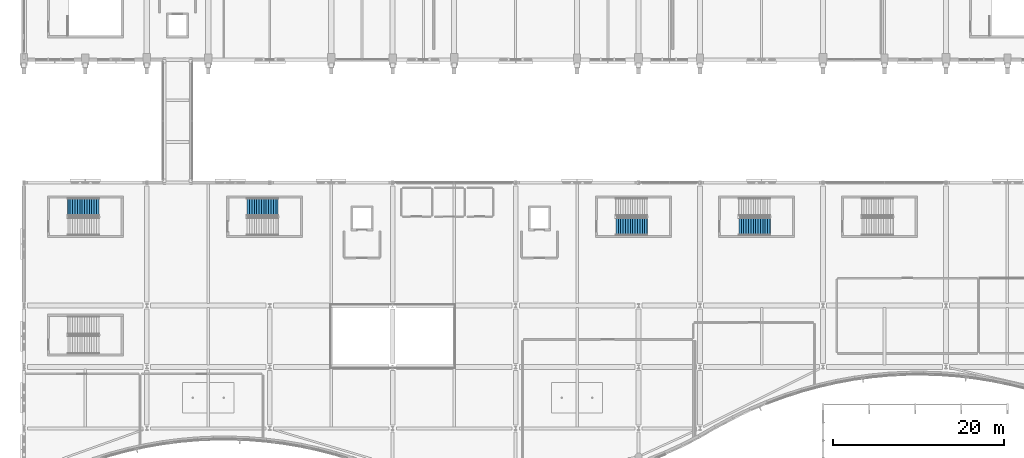
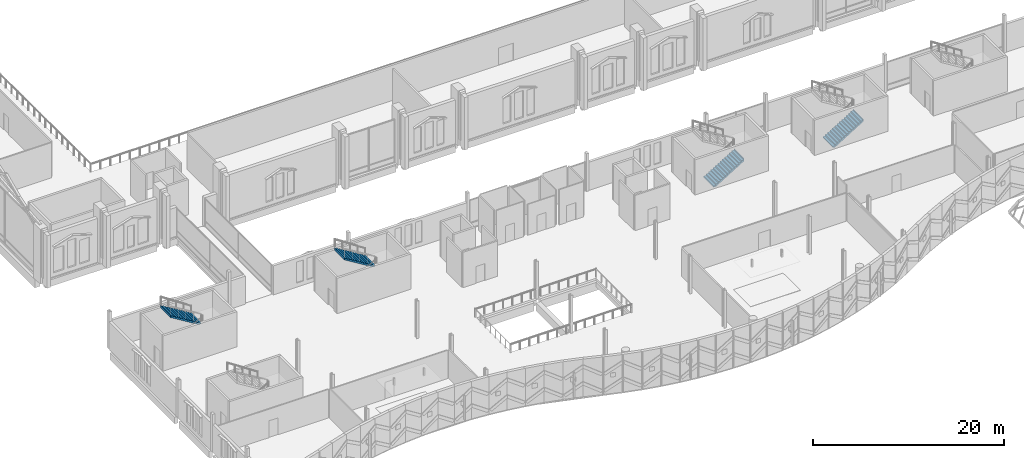
# One storey, part 185 of 220: 4 stair flights, 4 elements without a shape of their own.
"""IFC4 building model written with IfcOpenShell, lengths in metres."""

from ifc_helpers import new_model, si_unit, direction, frame, origin, place, context, subcontext, project, spatial, triangles, material, type_object, element, aggregate, save


model = new_model("IFC4")

# Units and contexts
model_context = context("Model", 3, precision=1e-05, world=origin(), true_north=direction((0.0, 1.0)))
body_context = subcontext(model_context, "Body", "Model", "MODEL_VIEW")
ifc_project = project(units=[si_unit("LENGTHUNIT", "METRE"), si_unit("AREAUNIT", "SQUARE_METRE"), si_unit("VOLUMEUNIT", "CUBIC_METRE"), si_unit("PLANEANGLEUNIT", "RADIAN"), si_unit("MASSUNIT", "GRAM", prefix="KILO")], contexts=[model_context])

# Site, building, storey
site_placement = place(None, origin())
site = spatial("IfcSite", under=ifc_project, at=site_placement, CompositionType="ELEMENT")
building_placement = place(site_placement, origin())
building = spatial("IfcBuilding", under=site, at=building_placement, Name="Cendralis Lancet Convention Centre", CompositionType="ELEMENT")
storey_placement = place(building_placement, frame((0.0, 0.0, 5.39990234375)))
storey = spatial("IfcBuildingStorey", under=building, at=storey_placement, Name="L01", CompositionType="ELEMENT", Elevation=5.39990234375)

# Stair, stair flight
ifc_material = material(Name="Concrete G35 (C35/45)", Category="concrete")
stair_type = type_object("IfcStairType", Name="ARC-ST-CORE", PredefinedType="HALF_TURN_STAIR", material=ifc_material)
stair_1_placement = place(storey_placement, origin())
stair_1 = element("IfcStair", 1, at=stair_1_placement, inside=storey, type_object=stair_type, Name="L01 Protected Exit Stair ST-11", PredefinedType="HALF_TURN_STAIR")
stair_flight_type = type_object("IfcStairFlightType", Name="ARC-SF-CORE", PredefinedType="STRAIGHT", material=ifc_material)
stair_flight_1_placement = place(storey_placement, frame((29.7900390625, 33.1298828125, 2.400146484375), z_axis=(0.0, 0.0, 1.0), x_axis=(-1.0, 0.0, 0.0)))
stair_flight_1 = element("IfcStairFlight", 2, at=stair_flight_1_placement, type_object=stair_flight_type, Name="ST-11 flight 2", NumberOfRisers=14, NumberOfTreads=13, PredefinedType="STRAIGHT", RiserHeight=0.171428571, TreadLength=0.28, context=body_context, shape_type="Tessellation", body=[
    triangles([(0.0, 0.0, 0.085714), (0.0, 1.050049, 0.0), (0.0, -1.050049, 0.0), (0.0, -1.050049, 0.171429), (0.0, 1.050049, 0.171429), (0.14, 0.0, 0.171429), (0.28, -1.050049, 0.171429), (0.28, 1.050049, 0.171429), (0.14, 0.0, 0.0), (0.28, -1.050049, 0.0), (0.28, 1.050049, 0.0), (0.28, 0.0, 0.257143), (0.28, -1.050049, 0.342857), (0.28, 1.050049, 0.342857), (0.283543, 0.0, 0.342857), (0.287085, -1.050049, 0.342857), (0.287085, 1.050049, 0.342857), (0.283543, 0.0, 0.0), (0.287085, -1.050049, 0.0), (0.287085, 1.050049, 0.0), (0.423543, 0.0, 0.342857), (0.56, -1.050049, 0.342857), (0.56, 1.050049, 0.342857), (0.423543, 0.0, 0.083545), (0.56, -1.050049, 0.167091), (0.56, 1.050049, 0.167091), (0.56, 0.0, 0.428572), (0.56, -1.050049, 0.514286), (0.56, 1.050049, 0.514286), (0.7, 0.0, 0.514286), (0.84, -1.050049, 0.514286), (0.84, 1.050049, 0.514286), (0.7, 0.0, 0.252806), (0.84, -1.050049, 0.33852), (0.84, 1.050049, 0.33852), (0.84, 0.0, 0.6), (0.84, -1.050049, 0.685714), (0.84, 1.050049, 0.685714), (0.98, 0.0, 0.685714), (1.12, -1.050049, 0.685714), (1.12, 1.050049, 0.685714), (0.98, 0.0, 0.424234), (1.12, -1.050049, 0.509948), (1.12, 1.050049, 0.509948), (1.12, 0.0, 0.771429), (1.12, -1.050049, 0.857143), (1.12, 1.050049, 0.857143), (1.26, 0.0, 0.857143), (1.4, -1.050049, 0.857143), (1.4, 1.050049, 0.857143), (1.26, 0.0, 0.595662), (1.4, -1.050049, 0.681377), (1.4, 1.050049, 0.681377), (1.4, 0.0, 0.942857), (1.4, -1.050049, 1.028571), (1.4, 1.050049, 1.028571), (1.54, 0.0, 1.028571), (1.68, -1.050049, 1.028571), (1.68, 1.050049, 1.028571), (1.54, 0.0, 0.767091), (1.68, -1.050049, 0.852805), (1.68, 1.050049, 0.852805), (1.68, 0.0, 1.114286), (1.68, -1.050049, 1.2), (1.68, 1.050049, 1.2), (1.82, 0.0, 1.2), (1.96, -1.050049, 1.2), (1.96, 1.050049, 1.2), (1.82, 0.0, 0.938519), (1.96, -1.050049, 1.024234), (1.96, 1.050049, 1.024234), (1.96, 0.0, 1.285715), (1.96, -1.050049, 1.371429), (1.96, 1.050049, 1.371429), (2.1, 0.0, 1.371429), (2.24, -1.050049, 1.371429), (2.24, 1.050049, 1.371429), (2.1, 0.0, 1.109948), (2.24, -1.050049, 1.195662), (2.24, 1.050049, 1.195662), (2.24, 0.0, 1.457143), (2.24, -1.050049, 1.542857), (2.24, 1.050049, 1.542857), (2.38, 0.0, 1.542857), (2.52, -1.050049, 1.542857), (2.52, 1.050049, 1.542857), (2.38, 0.0, 1.281376), (2.52, -1.050049, 1.367091), (2.52, 1.050049, 1.367091), (2.52, 0.0, 1.628572), (2.52, -1.050049, 1.714286), (2.52, 1.050049, 1.714286), (2.66, 0.0, 1.714286), (2.8, -1.050049, 1.714286), (2.8, 1.050049, 1.714286), (2.66, 0.0, 1.452806), (2.8, -1.050049, 1.53852), (2.8, 1.050049, 1.53852), (2.8, 0.0, 1.8), (2.8, -1.050049, 1.885714), (2.8, 1.050049, 1.885714), (2.94, 0.0, 1.885714), (3.08, -1.050049, 1.885714), (3.08, 1.050049, 1.885714), (2.94, 0.0, 1.624234), (3.08, -1.050049, 1.709948), (3.08, 1.050049, 1.709948), (3.08, 0.0, 1.971429), (3.08, -1.050049, 2.057143), (3.08, 1.050049, 2.057143), (3.22, 0.0, 2.057143), (3.36, -1.050049, 2.057143), (3.36, 1.050049, 2.057143), (3.22, 0.0, 1.795663), (3.36, -1.050049, 1.881377), (3.36, 1.050049, 1.881377), (3.36, 0.0, 2.142857), (3.36, -1.050049, 2.228571), (3.36, 1.050049, 2.228571), (3.5, 0.0, 2.228571), (3.64, -1.050049, 2.228571), (3.64, 1.050049, 2.228571), (3.5, 0.0, 1.967091), (3.64, -1.050049, 2.052805), (3.64, 1.050049, 2.052805), (3.64, 0.0, 2.314285), (3.64, -1.050049, 2.4), (3.64, 1.050049, 2.4), (3.66, 0.0, 2.4), (3.68, -1.050049, 2.4), (3.68, 1.050049, 2.4), (3.66, 0.0, 2.052805), (3.68, -1.050049, 2.052805), (3.68, 1.050049, 2.052805), (3.68, 0.0, 2.226403)], [[2, 3, 1], [3, 4, 1], [4, 5, 1], [5, 2, 1], [4, 7, 6], [7, 8, 6], [8, 5, 6], [5, 4, 6], [10, 3, 9], [3, 2, 9], [2, 11, 9], [11, 10, 9], [3, 10, 7], [3, 7, 4], [2, 8, 11], [2, 5, 8], [8, 7, 12], [7, 13, 12], [13, 14, 12], [14, 8, 12], [13, 16, 15], [16, 17, 15], [17, 14, 15], [14, 13, 15], [19, 10, 18], [10, 11, 18], [11, 20, 18], [20, 19, 18], [10, 19, 16], [10, 16, 7], [7, 16, 13], [11, 17, 20], [11, 8, 17], [8, 14, 17], [16, 22, 21], [22, 23, 21], [23, 17, 21], [17, 16, 21], [25, 19, 24], [19, 20, 24], [20, 26, 24], [26, 25, 24], [19, 25, 22], [19, 22, 16], [20, 23, 26], [20, 17, 23], [23, 22, 27], [22, 28, 27], [28, 29, 27], [29, 23, 27], [28, 31, 30], [31, 32, 30], [32, 29, 30], [29, 28, 30], [34, 25, 33], [25, 26, 33], [26, 35, 33], [35, 34, 33], [25, 34, 31], [25, 31, 22], [22, 31, 28], [26, 32, 35], [26, 23, 32], [23, 29, 32], [32, 31, 36], [31, 37, 36], [37, 38, 36], [38, 32, 36], [37, 40, 39], [40, 41, 39], [41, 38, 39], [38, 37, 39], [43, 34, 42], [34, 35, 42], [35, 44, 42], [44, 43, 42], [34, 43, 40], [34, 40, 31], [31, 40, 37], [35, 41, 44], [35, 32, 41], [32, 38, 41], [41, 40, 45], [40, 46, 45], [46, 47, 45], [47, 41, 45], [46, 49, 48], [49, 50, 48], [50, 47, 48], [47, 46, 48], [52, 43, 51], [43, 44, 51], [44, 53, 51], [53, 52, 51], [43, 52, 49], [43, 49, 40], [40, 49, 46], [44, 50, 53], [44, 41, 50], [41, 47, 50], [50, 49, 54], [49, 55, 54], [55, 56, 54], [56, 50, 54], [55, 58, 57], [58, 59, 57], [59, 56, 57], [56, 55, 57], [61, 52, 60], [52, 53, 60], [53, 62, 60], [62, 61, 60], [52, 61, 58], [52, 58, 49], [49, 58, 55], [53, 59, 62], [53, 50, 59], [50, 56, 59], [59, 58, 63], [58, 64, 63], [64, 65, 63], [65, 59, 63], [64, 67, 66], [67, 68, 66], [68, 65, 66], [65, 64, 66], [70, 61, 69], [61, 62, 69], [62, 71, 69], [71, 70, 69], [61, 70, 67], [61, 67, 58], [58, 67, 64], [62, 68, 71], [62, 59, 68], [59, 65, 68], [68, 67, 72], [67, 73, 72], [73, 74, 72], [74, 68, 72], [73, 76, 75], [76, 77, 75], [77, 74, 75], [74, 73, 75], [79, 70, 78], [70, 71, 78], [71, 80, 78], [80, 79, 78], [70, 79, 76], [70, 76, 67], [67, 76, 73], [71, 77, 80], [71, 68, 77], [68, 74, 77], [77, 76, 81], [76, 82, 81], [82, 83, 81], [83, 77, 81], [82, 85, 84], [85, 86, 84], [86, 83, 84], [83, 82, 84], [88, 79, 87], [79, 80, 87], [80, 89, 87], [89, 88, 87], [79, 88, 85], [79, 85, 76], [76, 85, 82], [80, 86, 89], [80, 77, 86], [77, 83, 86], [86, 85, 90], [85, 91, 90], [91, 92, 90], [92, 86, 90], [91, 94, 93], [94, 95, 93], [95, 92, 93], [92, 91, 93], [97, 88, 96], [88, 89, 96], [89, 98, 96], [98, 97, 96], [88, 97, 94], [88, 94, 85], [85, 94, 91], [89, 95, 98], [89, 86, 95], [86, 92, 95], [95, 94, 99], [94, 100, 99], [100, 101, 99], [101, 95, 99], [100, 103, 102], [103, 104, 102], [104, 101, 102], [101, 100, 102], [106, 97, 105], [97, 98, 105], [98, 107, 105], [107, 106, 105], [97, 106, 103], [97, 103, 94], [94, 103, 100], [98, 104, 107], [98, 95, 104], [95, 101, 104], [104, 103, 108], [103, 109, 108], [109, 110, 108], [110, 104, 108], [109, 112, 111], [112, 113, 111], [113, 110, 111], [110, 109, 111], [115, 106, 114], [106, 107, 114], [107, 116, 114], [116, 115, 114], [106, 115, 112], [106, 112, 103], [103, 112, 109], [107, 113, 116], [107, 104, 113], [104, 110, 113], [113, 112, 117], [112, 118, 117], [118, 119, 117], [119, 113, 117], [118, 121, 120], [121, 122, 120], [122, 119, 120], [119, 118, 120], [124, 115, 123], [115, 116, 123], [116, 125, 123], [125, 124, 123], [115, 124, 121], [115, 121, 112], [112, 121, 118], [116, 122, 125], [116, 113, 122], [113, 119, 122], [122, 121, 126], [121, 127, 126], [127, 128, 126], [128, 122, 126], [127, 130, 129], [130, 131, 129], [131, 128, 129], [128, 127, 129], [133, 124, 132], [124, 125, 132], [125, 134, 132], [134, 133, 132], [124, 133, 130], [124, 130, 121], [121, 130, 127], [125, 131, 134], [125, 122, 131], [122, 128, 131], [133, 134, 135], [134, 131, 135], [131, 130, 135], [130, 133, 135]], closed=True),
])
aggregate(stair_1, [stair_flight_1])

stair_2_placement = place(storey_placement, origin())
stair_2 = element("IfcStair", 3, at=stair_2_placement, inside=storey, type_object=stair_type, Name="L01 Protected Exit Stair ST-12", PredefinedType="HALF_TURN_STAIR")
stair_flight_2_placement = place(storey_placement, frame((69.35009765625, 30.85009765625, 0.0), z_axis=(0.0, 0.0, 1.0), x_axis=(1.0, 0.0, 0.0)))
stair_flight_2 = element("IfcStairFlight", 4, at=stair_flight_2_placement, type_object=stair_flight_type, Name="ST-12 flight 1", NumberOfRisers=14, NumberOfTreads=13, PredefinedType="STRAIGHT", RiserHeight=0.171428571, TreadLength=0.28, context=body_context, shape_type="Tessellation", body=[
    triangles([(0.0, 0.0, 0.085714), (0.0, 1.050049, 0.0), (0.0, -1.050049, 0.0), (0.0, -1.050049, 0.171429), (0.0, 1.050049, 0.171429), (0.14, 0.0, 0.171429), (0.28, -1.050049, 0.171429), (0.28, 1.050049, 0.171429), (0.14, 0.0, 0.0), (0.28, -1.050049, 0.0), (0.28, 1.050049, 0.0), (0.28, 0.0, 0.257143), (0.28, -1.050049, 0.342857), (0.28, 1.050049, 0.342857), (0.283543, 0.0, 0.342857), (0.287085, -1.050049, 0.342857), (0.287085, 1.050049, 0.342857), (0.283543, 0.0, 0.0), (0.287085, -1.050049, 0.0), (0.287085, 1.050049, 0.0), (0.423543, 0.0, 0.342857), (0.56, -1.050049, 0.342857), (0.56, 1.050049, 0.342857), (0.423543, 0.0, 0.083545), (0.56, -1.050049, 0.167091), (0.56, 1.050049, 0.167091), (0.56, 0.0, 0.428572), (0.56, -1.050049, 0.514286), (0.56, 1.050049, 0.514286), (0.7, 0.0, 0.514286), (0.84, -1.050049, 0.514286), (0.84, 1.050049, 0.514286), (0.7, 0.0, 0.252806), (0.84, -1.050049, 0.33852), (0.84, 1.050049, 0.33852), (0.84, 0.0, 0.6), (0.84, -1.050049, 0.685714), (0.84, 1.050049, 0.685714), (0.98, 0.0, 0.685714), (1.12, -1.050049, 0.685714), (1.12, 1.050049, 0.685714), (0.98, 0.0, 0.424234), (1.12, -1.050049, 0.509948), (1.12, 1.050049, 0.509948), (1.12, 0.0, 0.771429), (1.12, -1.050049, 0.857143), (1.12, 1.050049, 0.857143), (1.26, 0.0, 0.857143), (1.4, -1.050049, 0.857143), (1.4, 1.050049, 0.857143), (1.26, 0.0, 0.595662), (1.4, -1.050049, 0.681377), (1.4, 1.050049, 0.681377), (1.4, 0.0, 0.942857), (1.4, -1.050049, 1.028571), (1.4, 1.050049, 1.028571), (1.54, 0.0, 1.028571), (1.68, -1.050049, 1.028571), (1.68, 1.050049, 1.028571), (1.54, 0.0, 0.767091), (1.68, -1.050049, 0.852805), (1.68, 1.050049, 0.852805), (1.68, 0.0, 1.114286), (1.68, -1.050049, 1.2), (1.68, 1.050049, 1.2), (1.82, 0.0, 1.2), (1.96, -1.050049, 1.2), (1.96, 1.050049, 1.2), (1.82, 0.0, 0.938519), (1.96, -1.050049, 1.024234), (1.96, 1.050049, 1.024234), (1.96, 0.0, 1.285715), (1.96, -1.050049, 1.371429), (1.96, 1.050049, 1.371429), (2.1, 0.0, 1.371429), (2.24, -1.050049, 1.371429), (2.24, 1.050049, 1.371429), (2.1, 0.0, 1.109948), (2.24, -1.050049, 1.195662), (2.24, 1.050049, 1.195662), (2.24, 0.0, 1.457143), (2.24, -1.050049, 1.542857), (2.24, 1.050049, 1.542857), (2.38, 0.0, 1.542857), (2.52, -1.050049, 1.542857), (2.52, 1.050049, 1.542857), (2.38, 0.0, 1.281376), (2.52, -1.050049, 1.367091), (2.52, 1.050049, 1.367091), (2.52, 0.0, 1.628572), (2.52, -1.050049, 1.714286), (2.52, 1.050049, 1.714286), (2.66, 0.0, 1.714286), (2.8, -1.050049, 1.714286), (2.8, 1.050049, 1.714286), (2.66, 0.0, 1.452806), (2.8, -1.050049, 1.53852), (2.8, 1.050049, 1.53852), (2.8, 0.0, 1.8), (2.8, -1.050049, 1.885714), (2.8, 1.050049, 1.885714), (2.94, 0.0, 1.885714), (3.08, -1.050049, 1.885714), (3.08, 1.050049, 1.885714), (2.94, 0.0, 1.624234), (3.08, -1.050049, 1.709948), (3.08, 1.050049, 1.709948), (3.08, 0.0, 1.971429), (3.08, -1.050049, 2.057143), (3.08, 1.050049, 2.057143), (3.22, 0.0, 2.057143), (3.36, -1.050049, 2.057143), (3.36, 1.050049, 2.057143), (3.22, 0.0, 1.795663), (3.36, -1.050049, 1.881377), (3.36, 1.050049, 1.881377), (3.36, 0.0, 2.142857), (3.36, -1.050049, 2.228571), (3.36, 1.050049, 2.228571), (3.5, 0.0, 2.228571), (3.64, -1.050049, 2.228571), (3.64, 1.050049, 2.228571), (3.5, 0.0, 1.967091), (3.64, -1.050049, 2.052805), (3.64, 1.050049, 2.052805), (3.64, 0.0, 2.314285), (3.64, -1.050049, 2.4), (3.64, 1.050049, 2.4), (3.66, 0.0, 2.4), (3.68, -1.050049, 2.4), (3.68, 1.050049, 2.4), (3.66, 0.0, 2.052805), (3.68, -1.050049, 2.052805), (3.68, 1.050049, 2.052805), (3.68, 0.0, 2.226403)], [[2, 3, 1], [3, 4, 1], [4, 5, 1], [5, 2, 1], [4, 7, 6], [7, 8, 6], [8, 5, 6], [5, 4, 6], [10, 3, 9], [3, 2, 9], [2, 11, 9], [11, 10, 9], [3, 10, 7], [3, 7, 4], [2, 8, 11], [2, 5, 8], [8, 7, 12], [7, 13, 12], [13, 14, 12], [14, 8, 12], [13, 16, 15], [16, 17, 15], [17, 14, 15], [14, 13, 15], [19, 10, 18], [10, 11, 18], [11, 20, 18], [20, 19, 18], [10, 19, 16], [10, 16, 7], [7, 16, 13], [11, 17, 20], [11, 8, 17], [8, 14, 17], [16, 22, 21], [22, 23, 21], [23, 17, 21], [17, 16, 21], [25, 19, 24], [19, 20, 24], [20, 26, 24], [26, 25, 24], [19, 25, 22], [19, 22, 16], [20, 23, 26], [20, 17, 23], [23, 22, 27], [22, 28, 27], [28, 29, 27], [29, 23, 27], [28, 31, 30], [31, 32, 30], [32, 29, 30], [29, 28, 30], [34, 25, 33], [25, 26, 33], [26, 35, 33], [35, 34, 33], [25, 34, 31], [25, 31, 22], [22, 31, 28], [26, 32, 35], [26, 23, 32], [23, 29, 32], [32, 31, 36], [31, 37, 36], [37, 38, 36], [38, 32, 36], [37, 40, 39], [40, 41, 39], [41, 38, 39], [38, 37, 39], [43, 34, 42], [34, 35, 42], [35, 44, 42], [44, 43, 42], [34, 43, 40], [34, 40, 31], [31, 40, 37], [35, 41, 44], [35, 32, 41], [32, 38, 41], [41, 40, 45], [40, 46, 45], [46, 47, 45], [47, 41, 45], [46, 49, 48], [49, 50, 48], [50, 47, 48], [47, 46, 48], [52, 43, 51], [43, 44, 51], [44, 53, 51], [53, 52, 51], [43, 52, 49], [43, 49, 40], [40, 49, 46], [44, 50, 53], [44, 41, 50], [41, 47, 50], [50, 49, 54], [49, 55, 54], [55, 56, 54], [56, 50, 54], [55, 58, 57], [58, 59, 57], [59, 56, 57], [56, 55, 57], [61, 52, 60], [52, 53, 60], [53, 62, 60], [62, 61, 60], [52, 61, 58], [52, 58, 49], [49, 58, 55], [53, 59, 62], [53, 50, 59], [50, 56, 59], [59, 58, 63], [58, 64, 63], [64, 65, 63], [65, 59, 63], [64, 67, 66], [67, 68, 66], [68, 65, 66], [65, 64, 66], [70, 61, 69], [61, 62, 69], [62, 71, 69], [71, 70, 69], [61, 70, 67], [61, 67, 58], [58, 67, 64], [62, 68, 71], [62, 59, 68], [59, 65, 68], [68, 67, 72], [67, 73, 72], [73, 74, 72], [74, 68, 72], [73, 76, 75], [76, 77, 75], [77, 74, 75], [74, 73, 75], [79, 70, 78], [70, 71, 78], [71, 80, 78], [80, 79, 78], [70, 79, 76], [70, 76, 67], [67, 76, 73], [71, 77, 80], [71, 68, 77], [68, 74, 77], [77, 76, 81], [76, 82, 81], [82, 83, 81], [83, 77, 81], [82, 85, 84], [85, 86, 84], [86, 83, 84], [83, 82, 84], [88, 79, 87], [79, 80, 87], [80, 89, 87], [89, 88, 87], [79, 88, 85], [79, 85, 76], [76, 85, 82], [80, 86, 89], [80, 77, 86], [77, 83, 86], [86, 85, 90], [85, 91, 90], [91, 92, 90], [92, 86, 90], [91, 94, 93], [94, 95, 93], [95, 92, 93], [92, 91, 93], [97, 88, 96], [88, 89, 96], [89, 98, 96], [98, 97, 96], [88, 97, 94], [88, 94, 85], [85, 94, 91], [89, 95, 98], [89, 86, 95], [86, 92, 95], [95, 94, 99], [94, 100, 99], [100, 101, 99], [101, 95, 99], [100, 103, 102], [103, 104, 102], [104, 101, 102], [101, 100, 102], [106, 97, 105], [97, 98, 105], [98, 107, 105], [107, 106, 105], [97, 106, 103], [97, 103, 94], [94, 103, 100], [98, 104, 107], [98, 95, 104], [95, 101, 104], [104, 103, 108], [103, 109, 108], [109, 110, 108], [110, 104, 108], [109, 112, 111], [112, 113, 111], [113, 110, 111], [110, 109, 111], [115, 106, 114], [106, 107, 114], [107, 116, 114], [116, 115, 114], [106, 115, 112], [106, 112, 103], [103, 112, 109], [107, 113, 116], [107, 104, 113], [104, 110, 113], [113, 112, 117], [112, 118, 117], [118, 119, 117], [119, 113, 117], [118, 121, 120], [121, 122, 120], [122, 119, 120], [119, 118, 120], [124, 115, 123], [115, 116, 123], [116, 125, 123], [125, 124, 123], [115, 124, 121], [115, 121, 112], [112, 121, 118], [116, 122, 125], [116, 113, 122], [113, 119, 122], [122, 121, 126], [121, 127, 126], [127, 128, 126], [128, 122, 126], [127, 130, 129], [130, 131, 129], [131, 128, 129], [128, 127, 129], [133, 124, 132], [124, 125, 132], [125, 134, 132], [134, 133, 132], [124, 133, 130], [124, 130, 121], [121, 130, 127], [125, 131, 134], [125, 122, 131], [122, 128, 131], [133, 134, 135], [134, 131, 135], [131, 130, 135], [130, 133, 135]], closed=True),
])
aggregate(stair_2, [stair_flight_2])

stair_3_placement = place(storey_placement, origin())
stair_3 = element("IfcStair", 5, at=stair_3_placement, inside=storey, type_object=stair_type, Name="L01 Protected Exit Stair ST-20", PredefinedType="HALF_TURN_STAIR")
stair_flight_3_placement = place(storey_placement, frame((8.7900390625, 33.1298828125, 2.400146484375), z_axis=(0.0, 0.0, 1.0), x_axis=(-1.0, 0.0, 0.0)))
stair_flight_3 = element("IfcStairFlight", 6, at=stair_flight_3_placement, type_object=stair_flight_type, Name="ST-20 flight 2", NumberOfRisers=14, NumberOfTreads=13, PredefinedType="STRAIGHT", RiserHeight=0.171428571, TreadLength=0.28, context=body_context, shape_type="Tessellation", body=[
    triangles([(0.0, 0.0, 0.085714), (0.0, 1.050049, 0.0), (0.0, -1.050049, 0.0), (0.0, -1.050049, 0.171429), (0.0, 1.050049, 0.171429), (0.14, 0.0, 0.171429), (0.28, -1.050049, 0.171429), (0.28, 1.050049, 0.171429), (0.14, 0.0, 0.0), (0.28, -1.050049, 0.0), (0.28, 1.050049, 0.0), (0.28, 0.0, 0.257143), (0.28, -1.050049, 0.342857), (0.28, 1.050049, 0.342857), (0.283543, 0.0, 0.342857), (0.287085, -1.050049, 0.342857), (0.287085, 1.050049, 0.342857), (0.283543, 0.0, 0.0), (0.287085, -1.050049, 0.0), (0.287085, 1.050049, 0.0), (0.423543, 0.0, 0.342857), (0.56, -1.050049, 0.342857), (0.56, 1.050049, 0.342857), (0.423543, 0.0, 0.083545), (0.56, -1.050049, 0.167091), (0.56, 1.050049, 0.167091), (0.56, 0.0, 0.428572), (0.56, -1.050049, 0.514286), (0.56, 1.050049, 0.514286), (0.7, 0.0, 0.514286), (0.84, -1.050049, 0.514286), (0.84, 1.050049, 0.514286), (0.7, 0.0, 0.252806), (0.84, -1.050049, 0.33852), (0.84, 1.050049, 0.33852), (0.84, 0.0, 0.6), (0.84, -1.050049, 0.685714), (0.84, 1.050049, 0.685714), (0.98, 0.0, 0.685714), (1.12, -1.050049, 0.685714), (1.12, 1.050049, 0.685714), (0.98, 0.0, 0.424234), (1.12, -1.050049, 0.509948), (1.12, 1.050049, 0.509948), (1.12, 0.0, 0.771429), (1.12, -1.050049, 0.857143), (1.12, 1.050049, 0.857143), (1.26, 0.0, 0.857143), (1.4, -1.050049, 0.857143), (1.4, 1.050049, 0.857143), (1.26, 0.0, 0.595662), (1.4, -1.050049, 0.681377), (1.4, 1.050049, 0.681377), (1.4, 0.0, 0.942857), (1.4, -1.050049, 1.028571), (1.4, 1.050049, 1.028571), (1.54, 0.0, 1.028571), (1.68, -1.050049, 1.028571), (1.68, 1.050049, 1.028571), (1.54, 0.0, 0.767091), (1.68, -1.050049, 0.852805), (1.68, 1.050049, 0.852805), (1.68, 0.0, 1.114286), (1.68, -1.050049, 1.2), (1.68, 1.050049, 1.2), (1.82, 0.0, 1.2), (1.96, -1.050049, 1.2), (1.96, 1.050049, 1.2), (1.82, 0.0, 0.938519), (1.96, -1.050049, 1.024234), (1.96, 1.050049, 1.024234), (1.96, 0.0, 1.285715), (1.96, -1.050049, 1.371429), (1.96, 1.050049, 1.371429), (2.1, 0.0, 1.371429), (2.24, -1.050049, 1.371429), (2.24, 1.050049, 1.371429), (2.1, 0.0, 1.109948), (2.24, -1.050049, 1.195662), (2.24, 1.050049, 1.195662), (2.24, 0.0, 1.457143), (2.24, -1.050049, 1.542857), (2.24, 1.050049, 1.542857), (2.38, 0.0, 1.542857), (2.52, -1.050049, 1.542857), (2.52, 1.050049, 1.542857), (2.38, 0.0, 1.281376), (2.52, -1.050049, 1.367091), (2.52, 1.050049, 1.367091), (2.52, 0.0, 1.628572), (2.52, -1.050049, 1.714286), (2.52, 1.050049, 1.714286), (2.66, 0.0, 1.714286), (2.8, -1.050049, 1.714286), (2.8, 1.050049, 1.714286), (2.66, 0.0, 1.452806), (2.8, -1.050049, 1.53852), (2.8, 1.050049, 1.53852), (2.8, 0.0, 1.8), (2.8, -1.050049, 1.885714), (2.8, 1.050049, 1.885714), (2.94, 0.0, 1.885714), (3.08, -1.050049, 1.885714), (3.08, 1.050049, 1.885714), (2.94, 0.0, 1.624234), (3.08, -1.050049, 1.709948), (3.08, 1.050049, 1.709948), (3.08, 0.0, 1.971429), (3.08, -1.050049, 2.057143), (3.08, 1.050049, 2.057143), (3.22, 0.0, 2.057143), (3.36, -1.050049, 2.057143), (3.36, 1.050049, 2.057143), (3.22, 0.0, 1.795663), (3.36, -1.050049, 1.881377), (3.36, 1.050049, 1.881377), (3.36, 0.0, 2.142857), (3.36, -1.050049, 2.228571), (3.36, 1.050049, 2.228571), (3.5, 0.0, 2.228571), (3.64, -1.050049, 2.228571), (3.64, 1.050049, 2.228571), (3.5, 0.0, 1.967091), (3.64, -1.050049, 2.052805), (3.64, 1.050049, 2.052805), (3.64, 0.0, 2.314285), (3.64, -1.050049, 2.4), (3.64, 1.050049, 2.4), (3.66, 0.0, 2.4), (3.68, -1.050049, 2.4), (3.68, 1.050049, 2.4), (3.66, 0.0, 2.052805), (3.68, -1.050049, 2.052805), (3.68, 1.050049, 2.052805), (3.68, 0.0, 2.226403)], [[2, 3, 1], [3, 4, 1], [4, 5, 1], [5, 2, 1], [4, 7, 6], [7, 8, 6], [8, 5, 6], [5, 4, 6], [10, 3, 9], [3, 2, 9], [2, 11, 9], [11, 10, 9], [3, 10, 7], [3, 7, 4], [2, 8, 11], [2, 5, 8], [8, 7, 12], [7, 13, 12], [13, 14, 12], [14, 8, 12], [13, 16, 15], [16, 17, 15], [17, 14, 15], [14, 13, 15], [19, 10, 18], [10, 11, 18], [11, 20, 18], [20, 19, 18], [10, 19, 16], [10, 16, 7], [7, 16, 13], [11, 17, 20], [11, 8, 17], [8, 14, 17], [16, 22, 21], [22, 23, 21], [23, 17, 21], [17, 16, 21], [25, 19, 24], [19, 20, 24], [20, 26, 24], [26, 25, 24], [19, 25, 22], [19, 22, 16], [20, 23, 26], [20, 17, 23], [23, 22, 27], [22, 28, 27], [28, 29, 27], [29, 23, 27], [28, 31, 30], [31, 32, 30], [32, 29, 30], [29, 28, 30], [34, 25, 33], [25, 26, 33], [26, 35, 33], [35, 34, 33], [25, 34, 31], [25, 31, 22], [22, 31, 28], [26, 32, 35], [26, 23, 32], [23, 29, 32], [32, 31, 36], [31, 37, 36], [37, 38, 36], [38, 32, 36], [37, 40, 39], [40, 41, 39], [41, 38, 39], [38, 37, 39], [43, 34, 42], [34, 35, 42], [35, 44, 42], [44, 43, 42], [34, 43, 40], [34, 40, 31], [31, 40, 37], [35, 41, 44], [35, 32, 41], [32, 38, 41], [41, 40, 45], [40, 46, 45], [46, 47, 45], [47, 41, 45], [46, 49, 48], [49, 50, 48], [50, 47, 48], [47, 46, 48], [52, 43, 51], [43, 44, 51], [44, 53, 51], [53, 52, 51], [43, 52, 49], [43, 49, 40], [40, 49, 46], [44, 50, 53], [44, 41, 50], [41, 47, 50], [50, 49, 54], [49, 55, 54], [55, 56, 54], [56, 50, 54], [55, 58, 57], [58, 59, 57], [59, 56, 57], [56, 55, 57], [61, 52, 60], [52, 53, 60], [53, 62, 60], [62, 61, 60], [52, 61, 58], [52, 58, 49], [49, 58, 55], [53, 59, 62], [53, 50, 59], [50, 56, 59], [59, 58, 63], [58, 64, 63], [64, 65, 63], [65, 59, 63], [64, 67, 66], [67, 68, 66], [68, 65, 66], [65, 64, 66], [70, 61, 69], [61, 62, 69], [62, 71, 69], [71, 70, 69], [61, 70, 67], [61, 67, 58], [58, 67, 64], [62, 68, 71], [62, 59, 68], [59, 65, 68], [68, 67, 72], [67, 73, 72], [73, 74, 72], [74, 68, 72], [73, 76, 75], [76, 77, 75], [77, 74, 75], [74, 73, 75], [79, 70, 78], [70, 71, 78], [71, 80, 78], [80, 79, 78], [70, 79, 76], [70, 76, 67], [67, 76, 73], [71, 77, 80], [71, 68, 77], [68, 74, 77], [77, 76, 81], [76, 82, 81], [82, 83, 81], [83, 77, 81], [82, 85, 84], [85, 86, 84], [86, 83, 84], [83, 82, 84], [88, 79, 87], [79, 80, 87], [80, 89, 87], [89, 88, 87], [79, 88, 85], [79, 85, 76], [76, 85, 82], [80, 86, 89], [80, 77, 86], [77, 83, 86], [86, 85, 90], [85, 91, 90], [91, 92, 90], [92, 86, 90], [91, 94, 93], [94, 95, 93], [95, 92, 93], [92, 91, 93], [97, 88, 96], [88, 89, 96], [89, 98, 96], [98, 97, 96], [88, 97, 94], [88, 94, 85], [85, 94, 91], [89, 95, 98], [89, 86, 95], [86, 92, 95], [95, 94, 99], [94, 100, 99], [100, 101, 99], [101, 95, 99], [100, 103, 102], [103, 104, 102], [104, 101, 102], [101, 100, 102], [106, 97, 105], [97, 98, 105], [98, 107, 105], [107, 106, 105], [97, 106, 103], [97, 103, 94], [94, 103, 100], [98, 104, 107], [98, 95, 104], [95, 101, 104], [104, 103, 108], [103, 109, 108], [109, 110, 108], [110, 104, 108], [109, 112, 111], [112, 113, 111], [113, 110, 111], [110, 109, 111], [115, 106, 114], [106, 107, 114], [107, 116, 114], [116, 115, 114], [106, 115, 112], [106, 112, 103], [103, 112, 109], [107, 113, 116], [107, 104, 113], [104, 110, 113], [113, 112, 117], [112, 118, 117], [118, 119, 117], [119, 113, 117], [118, 121, 120], [121, 122, 120], [122, 119, 120], [119, 118, 120], [124, 115, 123], [115, 116, 123], [116, 125, 123], [125, 124, 123], [115, 124, 121], [115, 121, 112], [112, 121, 118], [116, 122, 125], [116, 113, 122], [113, 119, 122], [122, 121, 126], [121, 127, 126], [127, 128, 126], [128, 122, 126], [127, 130, 129], [130, 131, 129], [131, 128, 129], [128, 127, 129], [133, 124, 132], [124, 125, 132], [125, 134, 132], [134, 133, 132], [124, 133, 130], [124, 130, 121], [121, 130, 127], [125, 131, 134], [125, 122, 131], [122, 128, 131], [133, 134, 135], [134, 131, 135], [131, 130, 135], [130, 133, 135]], closed=True),
])
aggregate(stair_3, [stair_flight_3])

stair_4_placement = place(storey_placement, origin())
stair_4 = element("IfcStair", 7, at=stair_4_placement, inside=storey, type_object=stair_type, Name="L01 Protected Exit Stair ST-21", PredefinedType="HALF_TURN_STAIR")
stair_flight_4_placement = place(storey_placement, frame((83.75, 30.85009765625, 0.0), z_axis=(0.0, 0.0, 1.0), x_axis=(1.0, 0.0, 0.0)))
stair_flight_4 = element("IfcStairFlight", 8, at=stair_flight_4_placement, type_object=stair_flight_type, Name="ST-21 flight 1", NumberOfRisers=14, NumberOfTreads=13, PredefinedType="STRAIGHT", RiserHeight=0.171428571, TreadLength=0.28, context=body_context, shape_type="Tessellation", body=[
    triangles([(0.0, 0.0, 0.085714), (0.0, 1.050049, 0.0), (0.0, -1.050049, 0.0), (0.0, -1.050049, 0.171429), (0.0, 1.050049, 0.171429), (0.14, 0.0, 0.171429), (0.28, -1.050049, 0.171429), (0.28, 1.050049, 0.171429), (0.14, 0.0, 0.0), (0.28, -1.050049, 0.0), (0.28, 1.050049, 0.0), (0.28, 0.0, 0.257143), (0.28, -1.050049, 0.342857), (0.28, 1.050049, 0.342857), (0.283543, 0.0, 0.342857), (0.287085, -1.050049, 0.342857), (0.287085, 1.050049, 0.342857), (0.283543, 0.0, 0.0), (0.287085, -1.050049, 0.0), (0.287085, 1.050049, 0.0), (0.423543, 0.0, 0.342857), (0.56, -1.050049, 0.342857), (0.56, 1.050049, 0.342857), (0.423543, 0.0, 0.083545), (0.56, -1.050049, 0.167091), (0.56, 1.050049, 0.167091), (0.56, 0.0, 0.428572), (0.56, -1.050049, 0.514286), (0.56, 1.050049, 0.514286), (0.7, 0.0, 0.514286), (0.84, -1.050049, 0.514286), (0.84, 1.050049, 0.514286), (0.7, 0.0, 0.252806), (0.84, -1.050049, 0.33852), (0.84, 1.050049, 0.33852), (0.84, 0.0, 0.6), (0.84, -1.050049, 0.685714), (0.84, 1.050049, 0.685714), (0.98, 0.0, 0.685714), (1.12, -1.050049, 0.685714), (1.12, 1.050049, 0.685714), (0.98, 0.0, 0.424234), (1.12, -1.050049, 0.509948), (1.12, 1.050049, 0.509948), (1.12, 0.0, 0.771429), (1.12, -1.050049, 0.857143), (1.12, 1.050049, 0.857143), (1.26, 0.0, 0.857143), (1.4, -1.050049, 0.857143), (1.4, 1.050049, 0.857143), (1.26, 0.0, 0.595662), (1.4, -1.050049, 0.681377), (1.4, 1.050049, 0.681377), (1.4, 0.0, 0.942857), (1.4, -1.050049, 1.028571), (1.4, 1.050049, 1.028571), (1.54, 0.0, 1.028571), (1.68, -1.050049, 1.028571), (1.68, 1.050049, 1.028571), (1.54, 0.0, 0.767091), (1.68, -1.050049, 0.852805), (1.68, 1.050049, 0.852805), (1.68, 0.0, 1.114286), (1.68, -1.050049, 1.2), (1.68, 1.050049, 1.2), (1.82, 0.0, 1.2), (1.96, -1.050049, 1.2), (1.96, 1.050049, 1.2), (1.82, 0.0, 0.938519), (1.96, -1.050049, 1.024234), (1.96, 1.050049, 1.024234), (1.96, 0.0, 1.285715), (1.96, -1.050049, 1.371429), (1.96, 1.050049, 1.371429), (2.1, 0.0, 1.371429), (2.24, -1.050049, 1.371429), (2.24, 1.050049, 1.371429), (2.1, 0.0, 1.109948), (2.24, -1.050049, 1.195662), (2.24, 1.050049, 1.195662), (2.24, 0.0, 1.457143), (2.24, -1.050049, 1.542857), (2.24, 1.050049, 1.542857), (2.38, 0.0, 1.542857), (2.52, -1.050049, 1.542857), (2.52, 1.050049, 1.542857), (2.38, 0.0, 1.281376), (2.52, -1.050049, 1.367091), (2.52, 1.050049, 1.367091), (2.52, 0.0, 1.628572), (2.52, -1.050049, 1.714286), (2.52, 1.050049, 1.714286), (2.66, 0.0, 1.714286), (2.8, -1.050049, 1.714286), (2.8, 1.050049, 1.714286), (2.66, 0.0, 1.452806), (2.8, -1.050049, 1.53852), (2.8, 1.050049, 1.53852), (2.8, 0.0, 1.8), (2.8, -1.050049, 1.885714), (2.8, 1.050049, 1.885714), (2.94, 0.0, 1.885714), (3.08, -1.050049, 1.885714), (3.08, 1.050049, 1.885714), (2.94, 0.0, 1.624234), (3.08, -1.050049, 1.709948), (3.08, 1.050049, 1.709948), (3.08, 0.0, 1.971429), (3.08, -1.050049, 2.057143), (3.08, 1.050049, 2.057143), (3.22, 0.0, 2.057143), (3.36, -1.050049, 2.057143), (3.36, 1.050049, 2.057143), (3.22, 0.0, 1.795663), (3.36, -1.050049, 1.881377), (3.36, 1.050049, 1.881377), (3.36, 0.0, 2.142857), (3.36, -1.050049, 2.228571), (3.36, 1.050049, 2.228571), (3.5, 0.0, 2.228571), (3.64, -1.050049, 2.228571), (3.64, 1.050049, 2.228571), (3.5, 0.0, 1.967091), (3.64, -1.050049, 2.052805), (3.64, 1.050049, 2.052805), (3.64, 0.0, 2.314285), (3.64, -1.050049, 2.4), (3.64, 1.050049, 2.4), (3.66, 0.0, 2.4), (3.68, -1.050049, 2.4), (3.68, 1.050049, 2.4), (3.66, 0.0, 2.052805), (3.68, -1.050049, 2.052805), (3.68, 1.050049, 2.052805), (3.68, 0.0, 2.226403)], [[2, 3, 1], [3, 4, 1], [4, 5, 1], [5, 2, 1], [4, 7, 6], [7, 8, 6], [8, 5, 6], [5, 4, 6], [10, 3, 9], [3, 2, 9], [2, 11, 9], [11, 10, 9], [3, 10, 7], [3, 7, 4], [2, 8, 11], [2, 5, 8], [8, 7, 12], [7, 13, 12], [13, 14, 12], [14, 8, 12], [13, 16, 15], [16, 17, 15], [17, 14, 15], [14, 13, 15], [19, 10, 18], [10, 11, 18], [11, 20, 18], [20, 19, 18], [10, 19, 16], [10, 16, 7], [7, 16, 13], [11, 17, 20], [11, 8, 17], [8, 14, 17], [16, 22, 21], [22, 23, 21], [23, 17, 21], [17, 16, 21], [25, 19, 24], [19, 20, 24], [20, 26, 24], [26, 25, 24], [19, 25, 22], [19, 22, 16], [20, 23, 26], [20, 17, 23], [23, 22, 27], [22, 28, 27], [28, 29, 27], [29, 23, 27], [28, 31, 30], [31, 32, 30], [32, 29, 30], [29, 28, 30], [34, 25, 33], [25, 26, 33], [26, 35, 33], [35, 34, 33], [25, 34, 31], [25, 31, 22], [22, 31, 28], [26, 32, 35], [26, 23, 32], [23, 29, 32], [32, 31, 36], [31, 37, 36], [37, 38, 36], [38, 32, 36], [37, 40, 39], [40, 41, 39], [41, 38, 39], [38, 37, 39], [43, 34, 42], [34, 35, 42], [35, 44, 42], [44, 43, 42], [34, 43, 40], [34, 40, 31], [31, 40, 37], [35, 41, 44], [35, 32, 41], [32, 38, 41], [41, 40, 45], [40, 46, 45], [46, 47, 45], [47, 41, 45], [46, 49, 48], [49, 50, 48], [50, 47, 48], [47, 46, 48], [52, 43, 51], [43, 44, 51], [44, 53, 51], [53, 52, 51], [43, 52, 49], [43, 49, 40], [40, 49, 46], [44, 50, 53], [44, 41, 50], [41, 47, 50], [50, 49, 54], [49, 55, 54], [55, 56, 54], [56, 50, 54], [55, 58, 57], [58, 59, 57], [59, 56, 57], [56, 55, 57], [61, 52, 60], [52, 53, 60], [53, 62, 60], [62, 61, 60], [52, 61, 58], [52, 58, 49], [49, 58, 55], [53, 59, 62], [53, 50, 59], [50, 56, 59], [59, 58, 63], [58, 64, 63], [64, 65, 63], [65, 59, 63], [64, 67, 66], [67, 68, 66], [68, 65, 66], [65, 64, 66], [70, 61, 69], [61, 62, 69], [62, 71, 69], [71, 70, 69], [61, 70, 67], [61, 67, 58], [58, 67, 64], [62, 68, 71], [62, 59, 68], [59, 65, 68], [68, 67, 72], [67, 73, 72], [73, 74, 72], [74, 68, 72], [73, 76, 75], [76, 77, 75], [77, 74, 75], [74, 73, 75], [79, 70, 78], [70, 71, 78], [71, 80, 78], [80, 79, 78], [70, 79, 76], [70, 76, 67], [67, 76, 73], [71, 77, 80], [71, 68, 77], [68, 74, 77], [77, 76, 81], [76, 82, 81], [82, 83, 81], [83, 77, 81], [82, 85, 84], [85, 86, 84], [86, 83, 84], [83, 82, 84], [88, 79, 87], [79, 80, 87], [80, 89, 87], [89, 88, 87], [79, 88, 85], [79, 85, 76], [76, 85, 82], [80, 86, 89], [80, 77, 86], [77, 83, 86], [86, 85, 90], [85, 91, 90], [91, 92, 90], [92, 86, 90], [91, 94, 93], [94, 95, 93], [95, 92, 93], [92, 91, 93], [97, 88, 96], [88, 89, 96], [89, 98, 96], [98, 97, 96], [88, 97, 94], [88, 94, 85], [85, 94, 91], [89, 95, 98], [89, 86, 95], [86, 92, 95], [95, 94, 99], [94, 100, 99], [100, 101, 99], [101, 95, 99], [100, 103, 102], [103, 104, 102], [104, 101, 102], [101, 100, 102], [106, 97, 105], [97, 98, 105], [98, 107, 105], [107, 106, 105], [97, 106, 103], [97, 103, 94], [94, 103, 100], [98, 104, 107], [98, 95, 104], [95, 101, 104], [104, 103, 108], [103, 109, 108], [109, 110, 108], [110, 104, 108], [109, 112, 111], [112, 113, 111], [113, 110, 111], [110, 109, 111], [115, 106, 114], [106, 107, 114], [107, 116, 114], [116, 115, 114], [106, 115, 112], [106, 112, 103], [103, 112, 109], [107, 113, 116], [107, 104, 113], [104, 110, 113], [113, 112, 117], [112, 118, 117], [118, 119, 117], [119, 113, 117], [118, 121, 120], [121, 122, 120], [122, 119, 120], [119, 118, 120], [124, 115, 123], [115, 116, 123], [116, 125, 123], [125, 124, 123], [115, 124, 121], [115, 121, 112], [112, 121, 118], [116, 122, 125], [116, 113, 122], [113, 119, 122], [122, 121, 126], [121, 127, 126], [127, 128, 126], [128, 122, 126], [127, 130, 129], [130, 131, 129], [131, 128, 129], [128, 127, 129], [133, 124, 132], [124, 125, 132], [125, 134, 132], [134, 133, 132], [124, 133, 130], [124, 130, 121], [121, 130, 127], [125, 131, 134], [125, 122, 131], [122, 128, 131], [133, 134, 135], [134, 131, 135], [131, 130, 135], [130, 133, 135]], closed=True),
])
aggregate(stair_4, [stair_flight_4])

save(model, "model.ifc")
